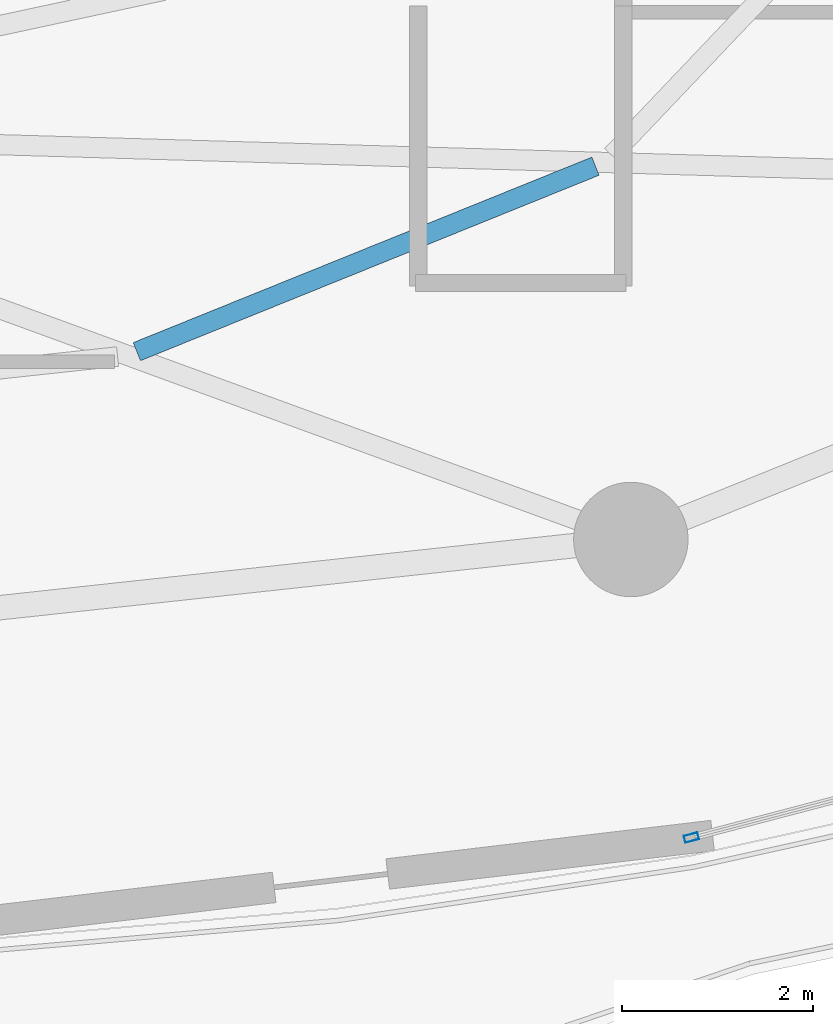
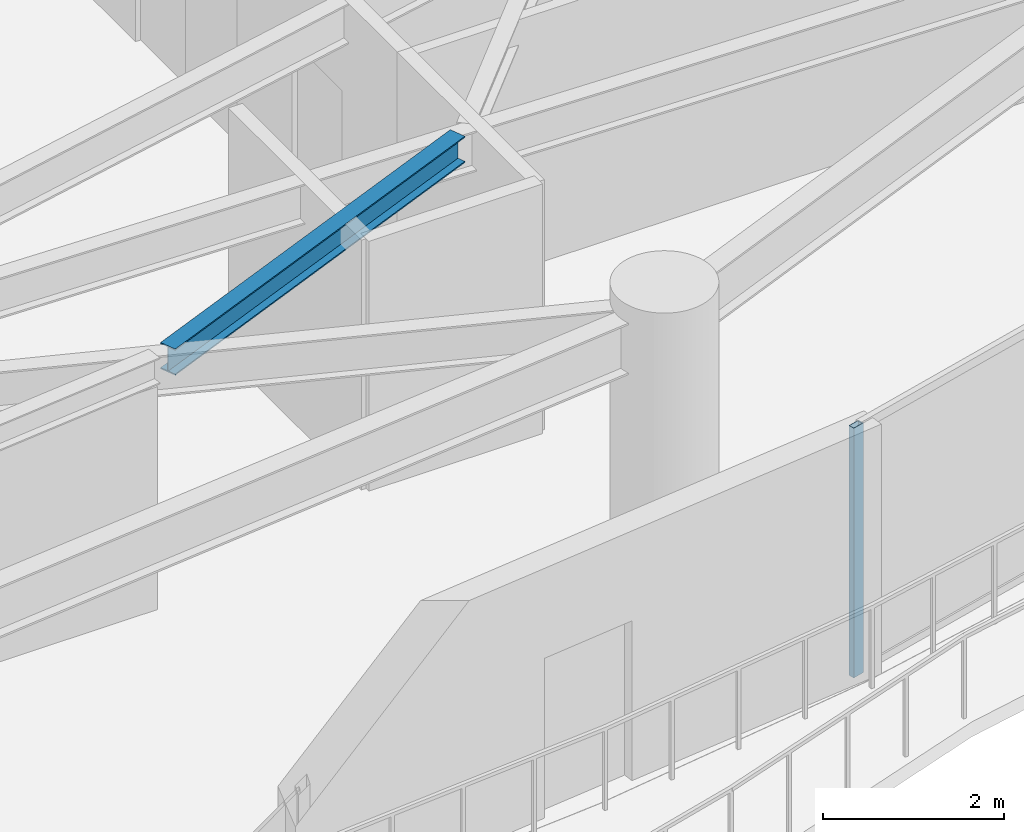
# One storey, part 12 of 34: 1 beam, 1 member, 1 element without a shape of its own.
"""IFC4 building model written with IfcOpenShell, lengths in metres."""

import ifcopenshell
import ifcopenshell.guid

model = None  # the IFC model being written
_history = None  # IfcOwnerHistory: only IFC2X3 demands one
_inside = {}  # id of a spatial element -> (the spatial element, [elements in it])
_under = {}  # id of a project, library or spatial element -> (it, [spatial elements below it])
_declared = {}  # id of a project -> (the project, [libraries it declares])
_typed = {}  # id of a type object -> (the type object, [elements of that type])
_made_of = {}  # id of a material, layer set ... -> (it, [elements and type objects made of it])


def new_model(schema):
    """Start an empty IFC model of exactly this schema.

    Asked for "IFC4X3", IfcOpenShell would pick the latest addendum, in which some entities
    have other attributes; the version numbers below select the first issue.
    IFC2X3 requires an IfcOwnerHistory on every rooted entity: one is made here for all.
    """
    global model, _history
    if schema == "IFC4X3":
        model = ifcopenshell.file(schema_version=(4, 3, 0, 0))
    else:
        model = ifcopenshell.file(schema=schema)
    _inside.clear()
    _under.clear()
    _declared.clear()
    _typed.clear()
    _made_of.clear()
    _history = None
    if model.schema == "IFC2X3":
        org = make("IfcOrganization", Name="unknown")
        user = make(
            "IfcPersonAndOrganization",
            ThePerson=make("IfcPerson", FamilyName="unknown"),
            TheOrganization=org,
        )
        app = make(
            "IfcApplication",
            ApplicationDeveloper=org,
            Version="unknown",
            ApplicationFullName="unknown",
            ApplicationIdentifier="unknown",
        )
        _history = make(
            "IfcOwnerHistory",
            OwningUser=user,
            OwningApplication=app,
            ChangeAction="ADDED",
            CreationDate=0,
        )
    return model


def make(cls, **values):
    """One entity of the class cls with the attributes given. An attribute that is None is left unset."""
    return model.create_entity(
        cls, **{name: value for name, value in values.items() if value is not None}
    )


def rooted(cls, **values):
    """An entity with a GlobalId (a new one), such as an element, a storey or a relation."""
    return make(cls, GlobalId=ifcopenshell.guid.new(), OwnerHistory=_history, **values)


def si_unit(unit_type, name, prefix=None):
    """IfcSIUnit, for example si_unit("LENGTHUNIT", "METRE", prefix="MILLI")."""
    return make("IfcSIUnit", UnitType=unit_type, Prefix=prefix, Name=name)


def assignment(units):
    """IfcUnitAssignment: the units of a project."""
    return None if units is None else make("IfcUnitAssignment", Units=units)


def point(xyz):
    """IfcCartesianPoint."""
    return None if xyz is None else make("IfcCartesianPoint", Coordinates=xyz)


def direction(xyz):
    """IfcDirection."""
    return None if xyz is None else make("IfcDirection", DirectionRatios=xyz)


def frame(location, z_axis=None, x_axis=None):
    """IfcAxis2Placement3D, a coordinate frame: its origin and axes. An axis left out is left unset."""
    return make(
        "IfcAxis2Placement3D",
        Location=point(location),
        Axis=direction(z_axis),
        RefDirection=direction(x_axis),
    )


def frame_2d(location, x_axis=None):
    """IfcAxis2Placement2D, a coordinate frame in the plane: its origin and x axis."""
    return make(
        "IfcAxis2Placement2D", Location=point(location), RefDirection=direction(x_axis)
    )


def origin():
    """The frame at (0, 0, 0) with its axes left unset."""
    return frame((0.0, 0.0, 0.0))


def origin_2d():
    """The frame at (0, 0) in the plane with its x axis left unset."""
    return frame_2d((0.0, 0.0))


def place(relative_to, where):
    """IfcLocalPlacement: puts the frame where relative to a parent placement (None: the world)."""
    return make(
        "IfcLocalPlacement", PlacementRelTo=relative_to, RelativePlacement=where
    )


def context(
    kind, dimensions, precision=None, world=None, true_north=None, identifier=None
):
    """IfcGeometricRepresentationContext, for example the 3D "Model" context."""
    return make(
        "IfcGeometricRepresentationContext",
        ContextIdentifier=identifier,
        ContextType=kind,
        CoordinateSpaceDimension=dimensions,
        Precision=precision,
        WorldCoordinateSystem=world,
        TrueNorth=true_north,
    )


def subcontext(parent, identifier, kind, view, scale=None):
    """IfcGeometricRepresentationSubContext, for example "Body" below "Model"."""
    return make(
        "IfcGeometricRepresentationSubContext",
        ContextIdentifier=identifier,
        ContextType=kind,
        ParentContext=parent,
        TargetScale=scale,
        TargetView=view,
    )


def project(units=None, contexts=None):
    """IfcProject with its units and contexts."""
    return rooted(
        "IfcProject",
        Name="project",
        RepresentationContexts=contexts,
        UnitsInContext=assignment(units),
    )


def spatial(cls, under=None, at=None, **own):
    """A site, building, storey or space (cls), placed at a placement, below another one or the project."""
    s = rooted(cls, ObjectPlacement=at, **own)
    if under is not None:
        _under.setdefault(under.id(), (under, []))[1].append(s)
    return s


def profile(cls, at=None, kind="AREA", **sizes):
    """A parametric profile (cls). Its sizes go by their IFC names, for example OverallWidth=200.0."""
    return make(cls, ProfileType=kind, Position=at, **sizes)


def hollow_rectangle(**sizes):
    """IfcRectangleHollowProfileDef."""
    return profile("IfcRectangleHollowProfileDef", **sizes)


def i_section(**sizes):
    """IfcIShapeProfileDef."""
    return profile("IfcIShapeProfileDef", **sizes)


def extrude(swept, where, along, depth):
    """IfcExtrudedAreaSolid: the profile swept, set in the frame where, extruded along a direction by depth."""
    return make(
        "IfcExtrudedAreaSolid",
        SweptArea=swept,
        Position=where,
        ExtrudedDirection=direction(along),
        Depth=depth,
    )


def shape(context_of_items, identifier, shape_type, items):
    """IfcShapeRepresentation: the items that make up one representation, for example the "Body"."""
    return make(
        "IfcShapeRepresentation",
        ContextOfItems=context_of_items,
        RepresentationIdentifier=identifier,
        RepresentationType=shape_type,
        Items=items,
    )


def material(Name=None, Category=None):
    """IfcMaterial."""
    return make("IfcMaterial", Name=Name, Category=Category)


def layer(
    of_material, thickness, ventilated=None, Name=None, Category=None, Priority=None
):
    """IfcMaterialLayer: one layer of a wall or slab, of a material (None: an air gap)."""
    return make(
        "IfcMaterialLayer",
        Material=of_material,
        LayerThickness=thickness,
        IsVentilated=ventilated,
        Name=Name,
        Category=Category,
        Priority=Priority,
    )


def layer_set(layers, Name=None):
    """IfcMaterialLayerSet."""
    return make("IfcMaterialLayerSet", MaterialLayers=layers, LayerSetName=Name)


def material_profile(
    of_material, cross_section, Name=None, Category=None, Priority=None
):
    """IfcMaterialProfile: a cross section and its material."""
    return make(
        "IfcMaterialProfile",
        Name=Name,
        Material=of_material,
        Profile=cross_section,
        Priority=Priority,
        Category=Category,
    )


def profile_set(profiles, Name=None, composite=None):
    """IfcMaterialProfileSet."""
    return make(
        "IfcMaterialProfileSet",
        Name=Name,
        MaterialProfiles=profiles,
        CompositeProfile=composite,
    )


def made_of(thing, what):
    """Note that an element or type object is made of a material, layer set ...; save() writes the relation."""
    if what is not None:
        _made_of.setdefault(what.id(), (what, []))[1].append(thing)
    return thing


def type_object(cls, material=None, **own):
    """A type object (cls), such as IfcWallType, which elements share."""
    return made_of(rooted(cls, **own), material)


def element(
    cls,
    number,
    at=None,
    inside=None,
    cuts=None,
    type_object=None,
    material=None,
    context=None,
    identifier="Body",
    shape_type=None,
    held_by="IfcProductDefinitionShape",
    body=None,
    shapes=None,
    **own,
):
    """One element of the class cls, such as IfcWall. Its Tag is "e" and its number.

    at: its placement. inside: the storey or other place that contains it. cuts: it is an
    opening in that element (IfcRelVoidsElement). A single representation is given by context,
    identifier, shape_type and body (its items); several are given by shapes. held_by: the class
    of the entity that holds the representations. save() writes the other relations.
    """
    e = rooted(cls, Tag="e%d" % number, ObjectPlacement=at, **own)
    if body is not None:
        shapes = [shape(context, identifier, shape_type, body)]
    if shapes is not None:
        e.Representation = make(held_by, Representations=shapes)
    if inside is not None:
        _inside.setdefault(inside.id(), (inside, []))[1].append(e)
    if cuts is not None:
        rooted(
            "IfcRelVoidsElement", RelatingBuildingElement=cuts, RelatedOpeningElement=e
        )
    if type_object is not None:
        _typed.setdefault(type_object.id(), (type_object, []))[1].append(e)
    return made_of(e, material)


def aggregate(whole, parts):
    """IfcRelAggregates: a whole, such as a stair, and the parts it consists of."""
    return rooted("IfcRelAggregates", RelatingObject=whole, RelatedObjects=parts)


def save(model, path):
    """Write the relations noted so far, then the file.

    IfcRelAggregates (storeys below a building ...), IfcRelContainedInSpatialStructure (elements
    in a storey), IfcRelDefinesByType, IfcRelAssociatesMaterial and IfcRelDeclares: one each for
    every whole, place, type object, material and project.
    """
    for whole, parts in _under.values():
        aggregate(whole, parts)
    for where, things in _inside.values():
        rooted(
            "IfcRelContainedInSpatialStructure",
            RelatedElements=things,
            RelatingStructure=where,
        )
    for kind, things in _typed.values():
        rooted("IfcRelDefinesByType", RelatedObjects=things, RelatingType=kind)
    for what, things in _made_of.values():
        rooted("IfcRelAssociatesMaterial", RelatedObjects=things, RelatingMaterial=what)
    for by, libraries in _declared.values():
        rooted("IfcRelDeclares", RelatingContext=by, RelatedDefinitions=libraries)
    model.write(path)


model = new_model("IFC4")

# Units and contexts
model_context = context("Model", 3, precision=1e-05, world=origin(), true_north=direction((0.0, 1.0)))
body_context = subcontext(model_context, "Body", "Model", "MODEL_VIEW")
ifc_project = project(units=[si_unit("LENGTHUNIT", "METRE"), si_unit("AREAUNIT", "SQUARE_METRE"), si_unit("VOLUMEUNIT", "CUBIC_METRE"), si_unit("PLANEANGLEUNIT", "RADIAN"), si_unit("MASSUNIT", "GRAM", prefix="KILO")], contexts=[model_context])

# Site, building, storey
site_placement = place(None, origin())
site = spatial("IfcSite", under=ifc_project, at=site_placement, CompositionType="ELEMENT")
building_placement = place(site_placement, origin())
building = spatial("IfcBuilding", under=site, at=building_placement, Name="Kazevale Care Tower and Concert Hall", CompositionType="ELEMENT")
storey_placement = place(building_placement, frame((0.0, 0.0, 160.199951171875)))
storey = spatial("IfcBuildingStorey", under=building, at=storey_placement, Name="L42", CompositionType="ELEMENT", Elevation=160.199951171875)

# Curtain wall, member
ifc_material_1 = material(Name="Aluminium 6063-T6 and Low-E Glass", Category="aluminium")
ifc_layer = layer(ifc_material_1, 0.179931640625)
ifc_layer_set = layer_set([ifc_layer], Name="Aluminium 6063-T6 and Low-E Glass")
curtain_wall_type = type_object("IfcCurtainWallType", Name="Sheltered Concave Balcony Curtain Wall CW-5", PredefinedType="NOTDEFINED", material=ifc_layer_set)
curtain_wall_placement = place(storey_placement, origin())
curtain_wall = element("IfcCurtainWall", 1, at=curtain_wall_placement, inside=storey, type_object=curtain_wall_type, Name="cw:L42:f04", PredefinedType="NOTDEFINED")
ifc_material_2 = material(Name="Aluminium 6063-T6", Category="aluminium")
ifc_material_profile_1 = material_profile(ifc_material_2, hollow_rectangle(XDim=0.074951171875, YDim=0.14990234375, WallThickness=0.00390625, at=origin_2d()), Name="ALU75x150x4")
ifc_profile_set_1 = profile_set([ifc_material_profile_1], Name="Aluminium 6063-T6")
member_type = type_object("IfcMemberType", Name="CW-5 Mullion ALU75x150x4", PredefinedType="MULLION", material=ifc_profile_set_1)
member_placement = place(storey_placement, frame((56.365234375, 16.18359375, 0.0), z_axis=(0.0, 0.0, 1.0), x_axis=(0.254238458229, -0.967141564797, 0.0)))
member = element("IfcMember", 2, at=member_placement, type_object=member_type, Name="CW-5 mullion 2", PredefinedType="MULLION", context=body_context, shape_type="SweptSolid", body=[
    extrude(hollow_rectangle(XDim=0.074951171875, YDim=0.14990234375, WallThickness=0.00390625, at=origin_2d()), origin(), (0.0, 0.0, 1.0), 3.360107421875),
])
aggregate(curtain_wall, [member])

# Beam
ifc_material_3 = material(Name="Steel ASTM A572 Gr 50", Category="steel")
ifc_material_profile_2 = material_profile(ifc_material_3, i_section(OverallWidth=0.205078125, OverallDepth=0.35400390625, WebThickness=0.009521484375, FlangeThickness=0.016845703125, at=origin_2d()), Name="W360x79")
ifc_profile_set_2 = profile_set([ifc_material_profile_2], Name="Steel ASTM A572 Gr 50")
beam_type = type_object("IfcBeamType", Name="Secondary Floor Joist W360x79", PredefinedType="JOIST", material=ifc_profile_set_2)
beam_placement = place(storey_placement, frame((50.549072265625, 21.280029296875, 3.18310546875), z_axis=(0.927064833216, 0.374901046964, 0.0), x_axis=(-0.374901046964, 0.927064833216, 0.0)))
element("IfcBeam", 3, at=beam_placement, inside=storey, type_object=beam_type, Name="beam:L42:joist:14", PredefinedType="JOIST", context=body_context, shape_type="SweptSolid", body=[
    extrude(i_section(OverallWidth=0.205078125, OverallDepth=0.35400390625, WebThickness=0.009521484375, FlangeThickness=0.016845703125, at=origin_2d()), origin(), (0.0, 0.0, 1.0), 5.188232421875),
])

save(model, "model.ifc")
